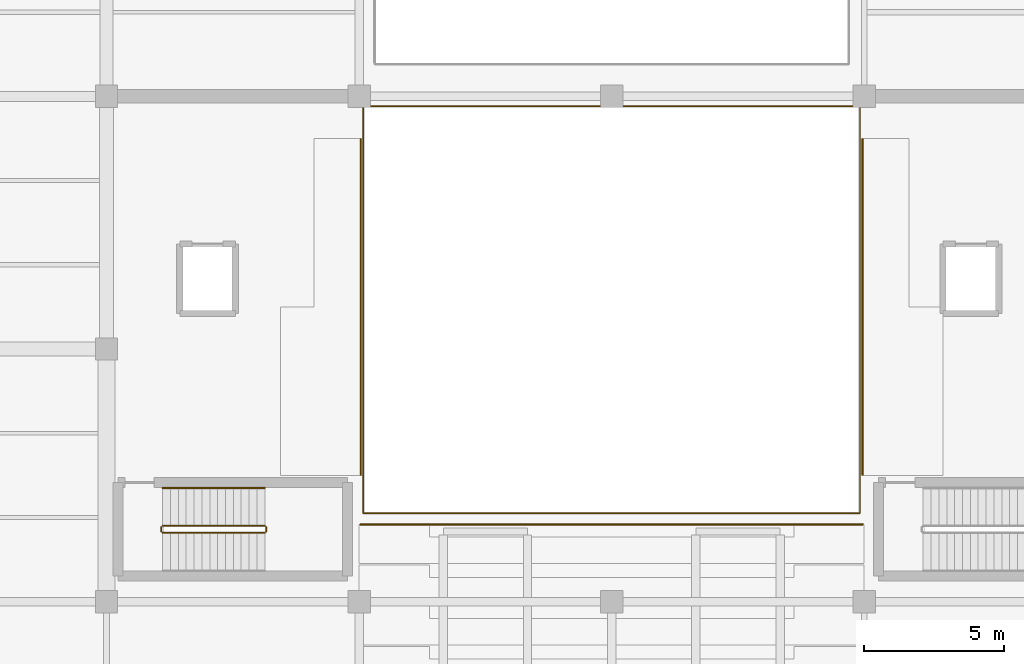
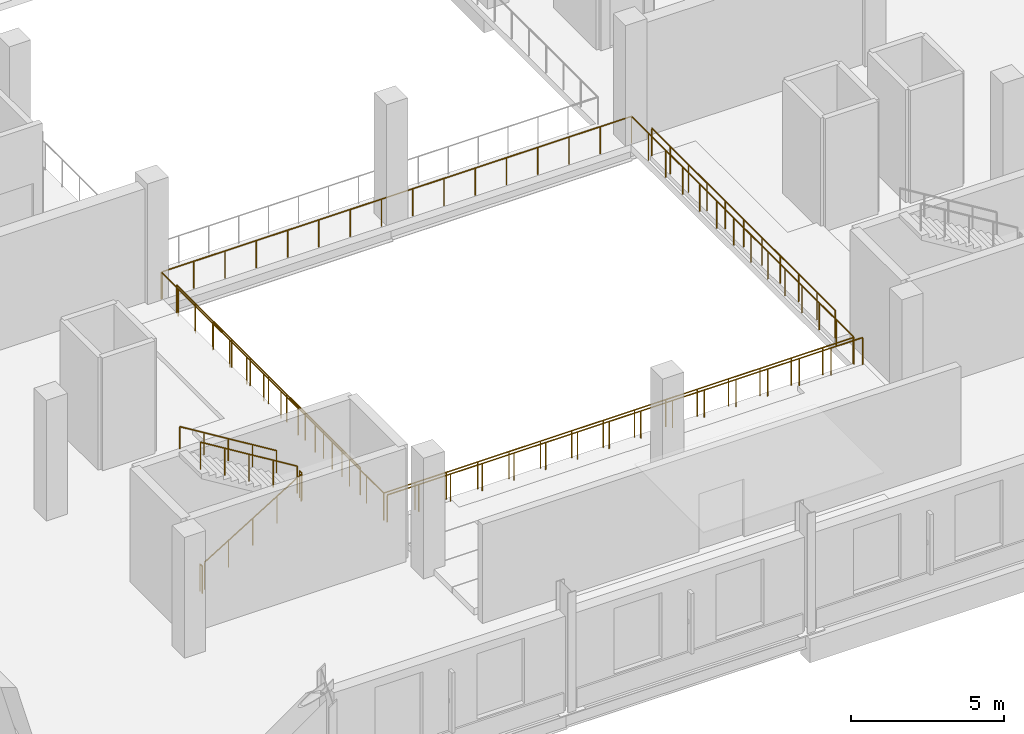
# One storey, part 45 of 54: 10 railings.
"""IFC4 building model written with IfcOpenShell, lengths in metres."""

import ifcopenshell
import ifcopenshell.guid

model = None  # the IFC model being written
_history = None  # IfcOwnerHistory: only IFC2X3 demands one
_inside = {}  # id of a spatial element -> (the spatial element, [elements in it])
_under = {}  # id of a project, library or spatial element -> (it, [spatial elements below it])
_declared = {}  # id of a project -> (the project, [libraries it declares])
_typed = {}  # id of a type object -> (the type object, [elements of that type])
_made_of = {}  # id of a material, layer set ... -> (it, [elements and type objects made of it])


def new_model(schema):
    """Start an empty IFC model of exactly this schema.

    Asked for "IFC4X3", IfcOpenShell would pick the latest addendum, in which some entities
    have other attributes; the version numbers below select the first issue.
    IFC2X3 requires an IfcOwnerHistory on every rooted entity: one is made here for all.
    """
    global model, _history
    if schema == "IFC4X3":
        model = ifcopenshell.file(schema_version=(4, 3, 0, 0))
    else:
        model = ifcopenshell.file(schema=schema)
    _inside.clear()
    _under.clear()
    _declared.clear()
    _typed.clear()
    _made_of.clear()
    _history = None
    if model.schema == "IFC2X3":
        org = make("IfcOrganization", Name="unknown")
        user = make(
            "IfcPersonAndOrganization",
            ThePerson=make("IfcPerson", FamilyName="unknown"),
            TheOrganization=org,
        )
        app = make(
            "IfcApplication",
            ApplicationDeveloper=org,
            Version="unknown",
            ApplicationFullName="unknown",
            ApplicationIdentifier="unknown",
        )
        _history = make(
            "IfcOwnerHistory",
            OwningUser=user,
            OwningApplication=app,
            ChangeAction="ADDED",
            CreationDate=0,
        )
    return model


def make(cls, **values):
    """One entity of the class cls with the attributes given. An attribute that is None is left unset."""
    return model.create_entity(
        cls, **{name: value for name, value in values.items() if value is not None}
    )


def rooted(cls, **values):
    """An entity with a GlobalId (a new one), such as an element, a storey or a relation."""
    return make(cls, GlobalId=ifcopenshell.guid.new(), OwnerHistory=_history, **values)


def si_unit(unit_type, name, prefix=None):
    """IfcSIUnit, for example si_unit("LENGTHUNIT", "METRE", prefix="MILLI")."""
    return make("IfcSIUnit", UnitType=unit_type, Prefix=prefix, Name=name)


def assignment(units):
    """IfcUnitAssignment: the units of a project."""
    return None if units is None else make("IfcUnitAssignment", Units=units)


def point(xyz):
    """IfcCartesianPoint."""
    return None if xyz is None else make("IfcCartesianPoint", Coordinates=xyz)


def direction(xyz):
    """IfcDirection."""
    return None if xyz is None else make("IfcDirection", DirectionRatios=xyz)


def frame(location, z_axis=None, x_axis=None):
    """IfcAxis2Placement3D, a coordinate frame: its origin and axes. An axis left out is left unset."""
    return make(
        "IfcAxis2Placement3D",
        Location=point(location),
        Axis=direction(z_axis),
        RefDirection=direction(x_axis),
    )


def frame_2d(location, x_axis=None):
    """IfcAxis2Placement2D, a coordinate frame in the plane: its origin and x axis."""
    return make(
        "IfcAxis2Placement2D", Location=point(location), RefDirection=direction(x_axis)
    )


def origin():
    """The frame at (0, 0, 0) with its axes left unset."""
    return frame((0.0, 0.0, 0.0))


def origin_2d():
    """The frame at (0, 0) in the plane with its x axis left unset."""
    return frame_2d((0.0, 0.0))


def place(relative_to, where):
    """IfcLocalPlacement: puts the frame where relative to a parent placement (None: the world)."""
    return make(
        "IfcLocalPlacement", PlacementRelTo=relative_to, RelativePlacement=where
    )


def context(
    kind, dimensions, precision=None, world=None, true_north=None, identifier=None
):
    """IfcGeometricRepresentationContext, for example the 3D "Model" context."""
    return make(
        "IfcGeometricRepresentationContext",
        ContextIdentifier=identifier,
        ContextType=kind,
        CoordinateSpaceDimension=dimensions,
        Precision=precision,
        WorldCoordinateSystem=world,
        TrueNorth=true_north,
    )


def subcontext(parent, identifier, kind, view, scale=None):
    """IfcGeometricRepresentationSubContext, for example "Body" below "Model"."""
    return make(
        "IfcGeometricRepresentationSubContext",
        ContextIdentifier=identifier,
        ContextType=kind,
        ParentContext=parent,
        TargetScale=scale,
        TargetView=view,
    )


def project(units=None, contexts=None):
    """IfcProject with its units and contexts."""
    return rooted(
        "IfcProject",
        Name="project",
        RepresentationContexts=contexts,
        UnitsInContext=assignment(units),
    )


def spatial(cls, under=None, at=None, **own):
    """A site, building, storey or space (cls), placed at a placement, below another one or the project."""
    s = rooted(cls, ObjectPlacement=at, **own)
    if under is not None:
        _under.setdefault(under.id(), (under, []))[1].append(s)
    return s


def profile(cls, at=None, kind="AREA", **sizes):
    """A parametric profile (cls). Its sizes go by their IFC names, for example OverallWidth=200.0."""
    return make(cls, ProfileType=kind, Position=at, **sizes)


def circle(**sizes):
    """IfcCircleProfileDef."""
    return profile("IfcCircleProfileDef", **sizes)


def extrude(swept, where, along, depth):
    """IfcExtrudedAreaSolid: the profile swept, set in the frame where, extruded along a direction by depth."""
    return make(
        "IfcExtrudedAreaSolid",
        SweptArea=swept,
        Position=where,
        ExtrudedDirection=direction(along),
        Depth=depth,
    )


def shape(context_of_items, identifier, shape_type, items):
    """IfcShapeRepresentation: the items that make up one representation, for example the "Body"."""
    return make(
        "IfcShapeRepresentation",
        ContextOfItems=context_of_items,
        RepresentationIdentifier=identifier,
        RepresentationType=shape_type,
        Items=items,
    )


def material(Name=None, Category=None):
    """IfcMaterial."""
    return make("IfcMaterial", Name=Name, Category=Category)


def made_of(thing, what):
    """Note that an element or type object is made of a material, layer set ...; save() writes the relation."""
    if what is not None:
        _made_of.setdefault(what.id(), (what, []))[1].append(thing)
    return thing


def type_object(cls, material=None, **own):
    """A type object (cls), such as IfcWallType, which elements share."""
    return made_of(rooted(cls, **own), material)


def element(
    cls,
    number,
    at=None,
    inside=None,
    cuts=None,
    type_object=None,
    material=None,
    context=None,
    identifier="Body",
    shape_type=None,
    held_by="IfcProductDefinitionShape",
    body=None,
    shapes=None,
    **own,
):
    """One element of the class cls, such as IfcWall. Its Tag is "e" and its number.

    at: its placement. inside: the storey or other place that contains it. cuts: it is an
    opening in that element (IfcRelVoidsElement). A single representation is given by context,
    identifier, shape_type and body (its items); several are given by shapes. held_by: the class
    of the entity that holds the representations. save() writes the other relations.
    """
    e = rooted(cls, Tag="e%d" % number, ObjectPlacement=at, **own)
    if body is not None:
        shapes = [shape(context, identifier, shape_type, body)]
    if shapes is not None:
        e.Representation = make(held_by, Representations=shapes)
    if inside is not None:
        _inside.setdefault(inside.id(), (inside, []))[1].append(e)
    if cuts is not None:
        rooted(
            "IfcRelVoidsElement", RelatingBuildingElement=cuts, RelatedOpeningElement=e
        )
    if type_object is not None:
        _typed.setdefault(type_object.id(), (type_object, []))[1].append(e)
    return made_of(e, material)


def aggregate(whole, parts):
    """IfcRelAggregates: a whole, such as a stair, and the parts it consists of."""
    return rooted("IfcRelAggregates", RelatingObject=whole, RelatedObjects=parts)


def save(model, path):
    """Write the relations noted so far, then the file.

    IfcRelAggregates (storeys below a building ...), IfcRelContainedInSpatialStructure (elements
    in a storey), IfcRelDefinesByType, IfcRelAssociatesMaterial and IfcRelDeclares: one each for
    every whole, place, type object, material and project.
    """
    for whole, parts in _under.values():
        aggregate(whole, parts)
    for where, things in _inside.values():
        rooted(
            "IfcRelContainedInSpatialStructure",
            RelatedElements=things,
            RelatingStructure=where,
        )
    for kind, things in _typed.values():
        rooted("IfcRelDefinesByType", RelatedObjects=things, RelatingType=kind)
    for what, things in _made_of.values():
        rooted("IfcRelAssociatesMaterial", RelatedObjects=things, RelatingMaterial=what)
    for by, libraries in _declared.values():
        rooted("IfcRelDeclares", RelatingContext=by, RelatedDefinitions=libraries)
    model.write(path)


model = new_model("IFC4")

# Units and contexts
model_context = context("Model", 3, precision=1e-05, world=origin(), true_north=direction((0.0, 1.0)))
body_context = subcontext(model_context, "Body", "Model", "MODEL_VIEW")
ifc_project = project(units=[si_unit("LENGTHUNIT", "METRE"), si_unit("AREAUNIT", "SQUARE_METRE"), si_unit("VOLUMEUNIT", "CUBIC_METRE"), si_unit("PLANEANGLEUNIT", "RADIAN"), si_unit("MASSUNIT", "GRAM", prefix="KILO")], contexts=[model_context])

# Site, building, storey
site_placement = place(None, origin())
site = spatial("IfcSite", under=ifc_project, at=site_placement, CompositionType="ELEMENT")
building_placement = place(site_placement, origin())
building = spatial("IfcBuilding", under=site, at=building_placement, Name="Sundgate Opera House", CompositionType="ELEMENT")
storey_placement = place(building_placement, frame((0.0, 0.0, 16.800048828125)))
storey = spatial("IfcBuildingStorey", under=building, at=storey_placement, Name="L03", CompositionType="ELEMENT", Elevation=16.800048828125)

# Railings
ifc_material_1 = material(Name="Patinated bronze forja metalwork", Category="steel")
railing_type_1 = type_object("IfcRailingType", Name="RL-FORJA-BAL-1100", PredefinedType="BALUSTRADE", material=ifc_material_1)
railing_1_placement = place(storey_placement, frame((45.14990234375, 59.64990234375, 0.0)))
element("IfcRailing", 1, at=railing_1_placement, inside=storey, type_object=railing_type_1, Name="L03 Interior Guardrail RL0298", PredefinedType="BALUSTRADE", context=body_context, shape_type="SweptSolid", body=[
    extrude(circle(Radius=0.02392578125, at=origin_2d()), frame((0.0, 0.0, 1.076171875), z_axis=(0.0, -1.0, 0.0), x_axis=(1.0, 0.0, 0.0)), (0.0, 0.0, 1.0), 14.5),
    extrude(circle(Radius=0.02392578125, at=origin_2d()), frame((0.0, -14.5, 1.076171875), z_axis=(1.0, 0.0, 0.0), x_axis=(0.0, 1.0, 0.0)), (0.0, 0.0, 1.0), 17.7001953125),
    extrude(circle(Radius=0.02099609375, at=origin_2d()), origin(), (0.0, 0.0, 1.0), 1.052001953125),
    extrude(circle(Radius=0.02099609375, at=origin_2d()), frame((0.0, -1.115478515625, 0.0)), (0.0, 0.0, 1.0), 1.052001953125),
    extrude(circle(Radius=0.02099609375, at=origin_2d()), frame((0.0, -2.230712890625, 0.0)), (0.0, 0.0, 1.0), 1.052001953125),
    extrude(circle(Radius=0.02099609375, at=origin_2d()), frame((0.0, -3.34619140625, 0.0)), (0.0, 0.0, 1.0), 1.052001953125),
    extrude(circle(Radius=0.02099609375, at=origin_2d()), frame((0.0, -4.46142578125, 0.0)), (0.0, 0.0, 1.0), 1.052001953125),
    extrude(circle(Radius=0.02099609375, at=origin_2d()), frame((0.0, -5.576904296875, 0.0)), (0.0, 0.0, 1.0), 1.052001953125),
    extrude(circle(Radius=0.02099609375, at=origin_2d()), frame((0.0, -6.6923828125, 0.0)), (0.0, 0.0, 1.0), 1.052001953125),
    extrude(circle(Radius=0.02099609375, at=origin_2d()), frame((0.0, -7.8076171875, 0.0)), (0.0, 0.0, 1.0), 1.052001953125),
    extrude(circle(Radius=0.02099609375, at=origin_2d()), frame((0.0, -8.923095703125, 0.0)), (0.0, 0.0, 1.0), 1.052001953125),
    extrude(circle(Radius=0.02099609375, at=origin_2d()), frame((0.0, -10.03857421875, 0.0)), (0.0, 0.0, 1.0), 1.052001953125),
    extrude(circle(Radius=0.02099609375, at=origin_2d()), frame((0.0, -11.15380859375, 0.0)), (0.0, 0.0, 1.0), 1.052001953125),
    extrude(circle(Radius=0.02099609375, at=origin_2d()), frame((0.0, -12.269287109375, 0.0)), (0.0, 0.0, 1.0), 1.052001953125),
    extrude(circle(Radius=0.02099609375, at=origin_2d()), frame((0.0, -13.384521484375, 0.0)), (0.0, 0.0, 1.0), 1.052001953125),
    extrude(circle(Radius=0.02099609375, at=origin_2d()), frame((0.0, -14.5, 0.0)), (0.0, 0.0, 1.0), 1.052001953125),
    extrude(circle(Radius=0.02099609375, at=origin_2d()), frame((1.179931640625, -14.5, 0.0)), (0.0, 0.0, 1.0), 1.052001953125),
    extrude(circle(Radius=0.02099609375, at=origin_2d()), frame((2.360107421875, -14.5, 0.0)), (0.0, 0.0, 1.0), 1.052001953125),
    extrude(circle(Radius=0.02099609375, at=origin_2d()), frame((3.5400390625, -14.5, 0.0)), (0.0, 0.0, 1.0), 1.052001953125),
    extrude(circle(Radius=0.02099609375, at=origin_2d()), frame((4.719970703125, -14.5, 0.0)), (0.0, 0.0, 1.0), 1.052001953125),
    extrude(circle(Radius=0.02099609375, at=origin_2d()), frame((5.900146484375, -14.5, 0.0)), (0.0, 0.0, 1.0), 1.052001953125),
    extrude(circle(Radius=0.02099609375, at=origin_2d()), frame((7.080078125, -14.5, 0.0)), (0.0, 0.0, 1.0), 1.052001953125),
    extrude(circle(Radius=0.02099609375, at=origin_2d()), frame((8.260009765625, -14.5, 0.0)), (0.0, 0.0, 1.0), 1.052001953125),
    extrude(circle(Radius=0.02099609375, at=origin_2d()), frame((9.440185546875, -14.5, 0.0)), (0.0, 0.0, 1.0), 1.052001953125),
    extrude(circle(Radius=0.02099609375, at=origin_2d()), frame((10.6201171875, -14.5, 0.0)), (0.0, 0.0, 1.0), 1.052001953125),
    extrude(circle(Radius=0.02099609375, at=origin_2d()), frame((11.800048828125, -14.5, 0.0)), (0.0, 0.0, 1.0), 1.052001953125),
    extrude(circle(Radius=0.02099609375, at=origin_2d()), frame((12.980224609375, -14.5, 0.0)), (0.0, 0.0, 1.0), 1.052001953125),
    extrude(circle(Radius=0.02099609375, at=origin_2d()), frame((14.16015625, -14.5, 0.0)), (0.0, 0.0, 1.0), 1.052001953125),
    extrude(circle(Radius=0.02099609375, at=origin_2d()), frame((15.340087890625, -14.5, 0.0)), (0.0, 0.0, 1.0), 1.052001953125),
    extrude(circle(Radius=0.02099609375, at=origin_2d()), frame((16.520263671875, -14.5, 0.0)), (0.0, 0.0, 1.0), 1.052001953125),
    extrude(circle(Radius=0.02099609375, at=origin_2d()), frame((17.7001953125, -14.5, 0.0)), (0.0, 0.0, 1.0), 1.052001953125),
])
railing_2_placement = place(storey_placement, frame((62.85009765625, 45.199951171875, 0.0)))
element("IfcRailing", 2, at=railing_2_placement, inside=storey, type_object=railing_type_1, Name="L03 Interior Guardrail RL0299", PredefinedType="BALUSTRADE", context=body_context, shape_type="SweptSolid", body=[
    extrude(circle(Radius=0.02392578125, at=origin_2d()), frame((0.0, 0.0, 1.076171875), z_axis=(0.0, 1.0, 0.0), x_axis=(-1.0, 0.0, 0.0)), (0.0, 0.0, 1.0), 14.449951171875),
    extrude(circle(Radius=0.02392578125, at=origin_2d()), frame((0.0, 14.449951171875, 1.076171875), z_axis=(-1.0, 0.0, 0.0), x_axis=(0.0, -1.0, 0.0)), (0.0, 0.0, 1.0), 17.650146484375),
    extrude(circle(Radius=0.02099609375, at=origin_2d()), origin(), (0.0, 0.0, 1.0), 1.052001953125),
    extrude(circle(Radius=0.02099609375, at=origin_2d()), frame((0.0, 1.111572265625, 0.0)), (0.0, 0.0, 1.0), 1.052001953125),
    extrude(circle(Radius=0.02099609375, at=origin_2d()), frame((0.0, 2.22314453125, 0.0)), (0.0, 0.0, 1.0), 1.052001953125),
    extrude(circle(Radius=0.02099609375, at=origin_2d()), frame((0.0, 3.334716796875, 0.0)), (0.0, 0.0, 1.0), 1.052001953125),
    extrude(circle(Radius=0.02099609375, at=origin_2d()), frame((0.0, 4.446044921875, 0.0)), (0.0, 0.0, 1.0), 1.052001953125),
    extrude(circle(Radius=0.02099609375, at=origin_2d()), frame((0.0, 5.5576171875, 0.0)), (0.0, 0.0, 1.0), 1.052001953125),
    extrude(circle(Radius=0.02099609375, at=origin_2d()), frame((0.0, 6.669189453125, 0.0)), (0.0, 0.0, 1.0), 1.052001953125),
    extrude(circle(Radius=0.02099609375, at=origin_2d()), frame((0.0, 7.78076171875, 0.0)), (0.0, 0.0, 1.0), 1.052001953125),
    extrude(circle(Radius=0.02099609375, at=origin_2d()), frame((0.0, 8.892333984375, 0.0)), (0.0, 0.0, 1.0), 1.052001953125),
    extrude(circle(Radius=0.02099609375, at=origin_2d()), frame((0.0, 10.00390625, 0.0)), (0.0, 0.0, 1.0), 1.052001953125),
    extrude(circle(Radius=0.02099609375, at=origin_2d()), frame((0.0, 11.115234375, 0.0)), (0.0, 0.0, 1.0), 1.052001953125),
    extrude(circle(Radius=0.02099609375, at=origin_2d()), frame((0.0, 12.226806640625, 0.0)), (0.0, 0.0, 1.0), 1.052001953125),
    extrude(circle(Radius=0.02099609375, at=origin_2d()), frame((0.0, 13.33837890625, 0.0)), (0.0, 0.0, 1.0), 1.052001953125),
    extrude(circle(Radius=0.02099609375, at=origin_2d()), frame((0.0, 14.449951171875, 0.0)), (0.0, 0.0, 1.0), 1.052001953125),
    extrude(circle(Radius=0.02099609375, at=origin_2d()), frame((-1.1767578125, 14.449951171875, 0.0)), (0.0, 0.0, 1.0), 1.052001953125),
    extrude(circle(Radius=0.02099609375, at=origin_2d()), frame((-2.353271484375, 14.449951171875, 0.0)), (0.0, 0.0, 1.0), 1.052001953125),
    extrude(circle(Radius=0.02099609375, at=origin_2d()), frame((-3.530029296875, 14.449951171875, 0.0)), (0.0, 0.0, 1.0), 1.052001953125),
    extrude(circle(Radius=0.02099609375, at=origin_2d()), frame((-4.706787109375, 14.449951171875, 0.0)), (0.0, 0.0, 1.0), 1.052001953125),
    extrude(circle(Radius=0.02099609375, at=origin_2d()), frame((-5.88330078125, 14.449951171875, 0.0)), (0.0, 0.0, 1.0), 1.052001953125),
    extrude(circle(Radius=0.02099609375, at=origin_2d()), frame((-7.06005859375, 14.449951171875, 0.0)), (0.0, 0.0, 1.0), 1.052001953125),
    extrude(circle(Radius=0.02099609375, at=origin_2d()), frame((-8.23681640625, 14.449951171875, 0.0)), (0.0, 0.0, 1.0), 1.052001953125),
    extrude(circle(Radius=0.02099609375, at=origin_2d()), frame((-9.413330078125, 14.449951171875, 0.0)), (0.0, 0.0, 1.0), 1.052001953125),
    extrude(circle(Radius=0.02099609375, at=origin_2d()), frame((-10.590087890625, 14.449951171875, 0.0)), (0.0, 0.0, 1.0), 1.052001953125),
    extrude(circle(Radius=0.02099609375, at=origin_2d()), frame((-11.766845703125, 14.449951171875, 0.0)), (0.0, 0.0, 1.0), 1.052001953125),
    extrude(circle(Radius=0.02099609375, at=origin_2d()), frame((-12.943359375, 14.449951171875, 0.0)), (0.0, 0.0, 1.0), 1.052001953125),
    extrude(circle(Radius=0.02099609375, at=origin_2d()), frame((-14.1201171875, 14.449951171875, 0.0)), (0.0, 0.0, 1.0), 1.052001953125),
    extrude(circle(Radius=0.02099609375, at=origin_2d()), frame((-15.296875, 14.449951171875, 0.0)), (0.0, 0.0, 1.0), 1.052001953125),
    extrude(circle(Radius=0.02099609375, at=origin_2d()), frame((-16.473388671875, 14.449951171875, 0.0)), (0.0, 0.0, 1.0), 1.052001953125),
    extrude(circle(Radius=0.02099609375, at=origin_2d()), frame((-17.650146484375, 14.449951171875, 0.0)), (0.0, 0.0, 1.0), 1.052001953125),
])
railing_3_placement = place(storey_placement, frame((45.050048828125, 44.75, 0.199951171875)))
element("IfcRailing", 3, at=railing_3_placement, inside=storey, type_object=railing_type_1, Name="L03 Interior Guardrail RL0300", PredefinedType="BALUSTRADE", context=body_context, shape_type="SweptSolid", body=[
    extrude(circle(Radius=0.02392578125, at=origin_2d()), frame((0.0, 0.0, 1.076171875), z_axis=(1.0, 0.0, 0.0), x_axis=(0.0, 1.0, 0.0)), (0.0, 0.0, 1.0), 17.89990234375),
    extrude(circle(Radius=0.02099609375, at=origin_2d()), origin(), (0.0, 0.0, 1.0), 1.052001953125),
    extrude(circle(Radius=0.02099609375, at=origin_2d()), frame((1.193359375, 0.0, 0.0)), (0.0, 0.0, 1.0), 1.052001953125),
    extrude(circle(Radius=0.02099609375, at=origin_2d()), frame((2.38671875, 0.0, 0.0)), (0.0, 0.0, 1.0), 1.052001953125),
    extrude(circle(Radius=0.02099609375, at=origin_2d()), frame((3.580078125, 0.0, 0.0)), (0.0, 0.0, 1.0), 1.052001953125),
    extrude(circle(Radius=0.02099609375, at=origin_2d()), frame((4.773193359375, 0.0, 0.0)), (0.0, 0.0, 1.0), 1.052001953125),
    extrude(circle(Radius=0.02099609375, at=origin_2d()), frame((5.966552734375, 0.0, 0.0)), (0.0, 0.0, 1.0), 1.052001953125),
    extrude(circle(Radius=0.02099609375, at=origin_2d()), frame((7.159912109375, 0.0, 0.0)), (0.0, 0.0, 1.0), 1.052001953125),
    extrude(circle(Radius=0.02099609375, at=origin_2d()), frame((8.353271484375, 0.0, 0.0)), (0.0, 0.0, 1.0), 1.052001953125),
    extrude(circle(Radius=0.02099609375, at=origin_2d()), frame((9.546630859375, 0.0, 0.0)), (0.0, 0.0, 1.0), 1.052001953125),
    extrude(circle(Radius=0.02099609375, at=origin_2d()), frame((10.739990234375, 0.0, 0.0)), (0.0, 0.0, 1.0), 1.052001953125),
    extrude(circle(Radius=0.02099609375, at=origin_2d()), frame((11.933349609375, 0.0, 0.0)), (0.0, 0.0, 1.0), 1.052001953125),
    extrude(circle(Radius=0.02099609375, at=origin_2d()), frame((13.126708984375, 0.0, 0.0)), (0.0, 0.0, 1.0), 1.052001953125),
    extrude(circle(Radius=0.02099609375, at=origin_2d()), frame((14.31982421875, 0.0, 0.0)), (0.0, 0.0, 1.0), 1.052001953125),
    extrude(circle(Radius=0.02099609375, at=origin_2d()), frame((15.51318359375, 0.0, 0.0)), (0.0, 0.0, 1.0), 1.052001953125),
    extrude(circle(Radius=0.02099609375, at=origin_2d()), frame((16.70654296875, 0.0, 0.0)), (0.0, 0.0, 1.0), 1.052001953125),
    extrude(circle(Radius=0.02099609375, at=origin_2d()), frame((17.89990234375, 0.0, 0.0)), (0.0, 0.0, 1.0), 1.052001953125),
])
for number, where, name in (
    (4, (62.93994140625, 46.52001953125, 0.18505859375), "L03 East Opera Box Tier Balustrade RL0317"),
    (5, (45.06005859375, 46.52001953125, 0.204833984375), "L03 West Opera Box Tier Balustrade RL0320"),
):
    element("IfcRailing", number, at=place(storey_placement, frame(where)), inside=storey, type_object=railing_type_1, Name=name, PredefinedType="BALUSTRADE", context=body_context, shape_type="SweptSolid", body=[
        extrude(circle(Radius=0.02392578125, at=origin_2d()), frame((0.0, 0.0, 1.09619140625), z_axis=(0.0, 1.0, 0.0), x_axis=(-1.0, 0.0, 0.0)), (0.0, 0.0, 1.0), 11.9599609375),
        extrude(circle(Radius=0.02099609375, at=origin_2d()), origin(), (0.0, 0.0, 1.0), 1.072021484375),
        extrude(circle(Radius=0.02099609375, at=origin_2d()), frame((0.0, 1.196044921875, 0.0)), (0.0, 0.0, 1.0), 1.072021484375),
        extrude(circle(Radius=0.02099609375, at=origin_2d()), frame((0.0, 2.39208984375, 0.0)), (0.0, 0.0, 1.0), 1.072021484375),
        extrude(circle(Radius=0.02099609375, at=origin_2d()), frame((0.0, 3.587890625, 0.0)), (0.0, 0.0, 1.0), 1.072021484375),
        extrude(circle(Radius=0.02099609375, at=origin_2d()), frame((0.0, 4.783935546875, 0.0)), (0.0, 0.0, 1.0), 1.072021484375),
        extrude(circle(Radius=0.02099609375, at=origin_2d()), frame((0.0, 5.97998046875, 0.0)), (0.0, 0.0, 1.0), 1.072021484375),
        extrude(circle(Radius=0.02099609375, at=origin_2d()), frame((0.0, 7.176025390625, 0.0)), (0.0, 0.0, 1.0), 1.072021484375),
        extrude(circle(Radius=0.02099609375, at=origin_2d()), frame((0.0, 8.3720703125, 0.0)), (0.0, 0.0, 1.0), 1.072021484375),
        extrude(circle(Radius=0.02099609375, at=origin_2d()), frame((0.0, 9.56787109375, 0.0)), (0.0, 0.0, 1.0), 1.072021484375),
        extrude(circle(Radius=0.02099609375, at=origin_2d()), frame((0.0, 10.763916015625, 0.0)), (0.0, 0.0, 1.0), 1.072021484375),
        extrude(circle(Radius=0.02099609375, at=origin_2d()), frame((0.0, 11.9599609375, 0.0)), (0.0, 0.0, 1.0), 1.072021484375),
    ])
ifc_material_2 = material(Name="Painted steel S275 guardrail", Category="steel")
railing_type_2 = type_object("IfcRailingType", Name="RL-STAIR-GUARD-1100", PredefinedType="GUARDRAIL", material=ifc_material_2)
railing_4_placement = place(storey_placement, frame((38.0, 44.449951171875, 0.17138671875)))
element("IfcRailing", 6, at=railing_4_placement, inside=storey, type_object=railing_type_2, Name="ST01L03 Guardrail RL0034", PredefinedType="GUARDRAIL", context=body_context, shape_type="SweptSolid", body=[
    extrude(circle(Radius=0.02392578125, at=origin_2d()), frame((0.0, 0.0, 1.076171875), z_axis=(0.852850264322, 0.0, 0.5221555579), x_axis=(0.0, 1.0, 0.0)), (0.0, 0.0, 1.0), 4.267822265625),
    extrude(circle(Radius=0.02099609375, at=origin_2d()), origin(), (0.0, 0.0, 1.0), 1.052001953125),
    extrude(circle(Radius=0.02099609375, at=origin_2d()), frame((0.909912109375, 0.0, 0.55712890625)), (0.0, 0.0, 1.0), 1.052001953125),
    extrude(circle(Radius=0.02099609375, at=origin_2d()), frame((1.81982421875, 0.0, 1.1142578125)), (0.0, 0.0, 1.0), 1.052001953125),
    extrude(circle(Radius=0.02099609375, at=origin_2d()), frame((2.72998046875, 0.0, 1.67138671875)), (0.0, 0.0, 1.0), 1.052001953125),
    extrude(circle(Radius=0.02099609375, at=origin_2d()), frame((3.639892578125, 0.0, 2.228515625)), (0.0, 0.0, 1.0), 1.052001953125),
])
railing_5_placement = place(storey_placement, frame((41.68994140625, 44.5, 2.39990234375)))
element("IfcRailing", 7, at=railing_5_placement, inside=storey, type_object=railing_type_2, Name="ST01L03 Guardrail RL0035", PredefinedType="GUARDRAIL", context=body_context, shape_type="SweptSolid", body=[
    extrude(circle(Radius=0.02392578125, at=origin_2d()), frame((0.0, 0.0, 1.076171875), z_axis=(0.0, 1.0, 0.0), x_axis=(-1.0, 0.0, 0.0)), (0.0, 0.0, 1.0), 0.14990234375),
    extrude(circle(Radius=0.02099609375, at=origin_2d()), origin(), (0.0, 0.0, 1.0), 1.052001953125),
    extrude(circle(Radius=0.02099609375, at=origin_2d()), frame((0.0, 0.14990234375, 0.0)), (0.0, 0.0, 1.0), 1.052001953125),
])
railing_6_placement = place(storey_placement, frame((41.639892578125, 44.699951171875, 2.5712890625)))
element("IfcRailing", 8, at=railing_6_placement, inside=storey, type_object=railing_type_2, Name="ST01L03 Guardrail RL0036", PredefinedType="GUARDRAIL", context=body_context, shape_type="SweptSolid", body=[
    extrude(circle(Radius=0.02392578125, at=origin_2d()), frame((0.0, 0.0, 1.076171875), z_axis=(-0.852824790078, 0.0, 0.522197163366), x_axis=(0.0, -1.0, 0.0)), (0.0, 0.0, 1.0), 4.26806640625),
    extrude(circle(Radius=0.02099609375, at=origin_2d()), origin(), (0.0, 0.0, 1.0), 1.052001953125),
    extrude(circle(Radius=0.02099609375, at=origin_2d()), frame((-0.909912109375, 0.0, 0.55712890625)), (0.0, 0.0, 1.0), 1.052001953125),
    extrude(circle(Radius=0.02099609375, at=origin_2d()), frame((-1.81982421875, 0.0, 1.1142578125)), (0.0, 0.0, 1.0), 1.052001953125),
    extrude(circle(Radius=0.02099609375, at=origin_2d()), frame((-2.72998046875, 0.0, 1.671630859375)), (0.0, 0.0, 1.0), 1.052001953125),
    extrude(circle(Radius=0.02099609375, at=origin_2d()), frame((-3.639892578125, 0.0, 2.228759765625)), (0.0, 0.0, 1.0), 1.052001953125),
])
railing_7_placement = place(storey_placement, frame((37.949951171875, 44.5, 0.0)))
element("IfcRailing", 9, at=railing_7_placement, inside=storey, type_object=railing_type_2, Name="ST01L03 Guardrail RL0037", PredefinedType="GUARDRAIL", context=body_context, shape_type="SweptSolid", body=[
    extrude(circle(Radius=0.02392578125, at=origin_2d()), frame((0.0, 0.0, 1.076171875), z_axis=(0.0, 1.0, 0.0), x_axis=(-1.0, 0.0, 0.0)), (0.0, 0.0, 1.0), 0.14990234375),
    extrude(circle(Radius=0.02099609375, at=origin_2d()), origin(), (0.0, 0.0, 1.0), 1.052001953125),
    extrude(circle(Radius=0.02099609375, at=origin_2d()), frame((0.0, 0.14990234375, 0.0)), (0.0, 0.0, 1.0), 1.052001953125),
])
ifc_material_3 = material(Name="Brushed stainless steel handrail", Category="steel")
railing_type_3 = type_object("IfcRailingType", Name="RL-STAIR-HAND-900", PredefinedType="HANDRAIL", material=ifc_material_3)
railing_8_placement = place(storey_placement, frame((41.639892578125, 46.050048828125, 2.5712890625)))
element("IfcRailing", 10, at=railing_8_placement, inside=storey, type_object=railing_type_3, Name="ST01L03 Handrail RL0039", PredefinedType="HANDRAIL", context=body_context, shape_type="SweptSolid", body=[
    extrude(circle(Radius=0.02392578125, at=origin_2d()), frame((0.0, 0.0, 0.8759765625), z_axis=(-0.852824790078, 0.0, 0.522197163366), x_axis=(0.0, -1.0, 0.0)), (0.0, 0.0, 1.0), 4.26806640625),
    extrude(circle(Radius=0.02099609375, at=origin_2d()), origin(), (0.0, 0.0, 1.0), 0.851806640625),
    extrude(circle(Radius=0.02099609375, at=origin_2d()), frame((-0.909912109375, 0.0, 0.55712890625)), (0.0, 0.0, 1.0), 0.851806640625),
    extrude(circle(Radius=0.02099609375, at=origin_2d()), frame((-1.81982421875, 0.0, 1.1142578125)), (0.0, 0.0, 1.0), 0.851806640625),
    extrude(circle(Radius=0.02099609375, at=origin_2d()), frame((-2.72998046875, 0.0, 1.671630859375)), (0.0, 0.0, 1.0), 0.851806640625),
    extrude(circle(Radius=0.02099609375, at=origin_2d()), frame((-3.639892578125, 0.0, 2.228759765625)), (0.0, 0.0, 1.0), 0.851806640625),
])

save(model, "model.ifc")
